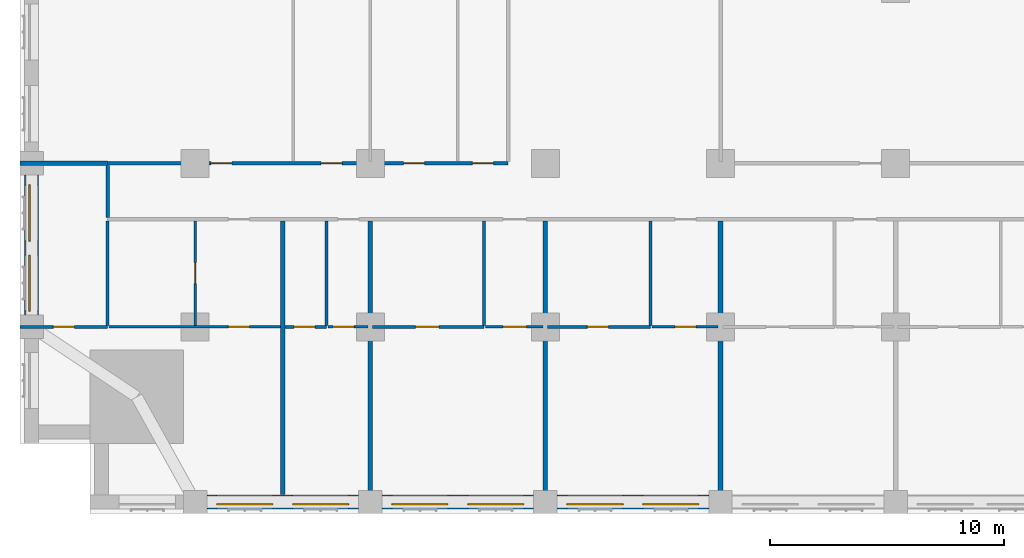
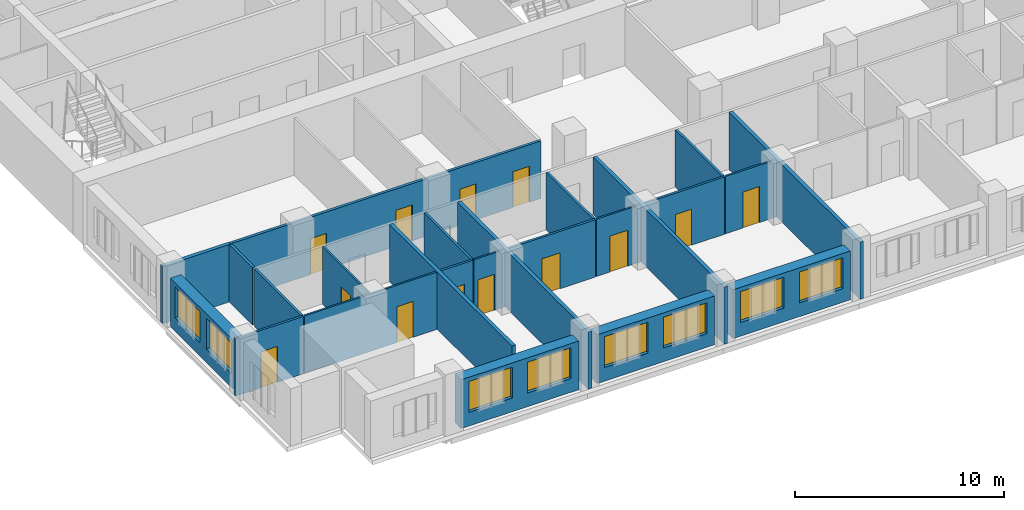
# One storey, part 4 of 14: 24 walls, 13 doors, 8 windows, 21 openings.
"""IFC4 building model written with IfcOpenShell, lengths in metres."""

from ifc_helpers import new_model, si_unit, direction, frame, frame_2d, origin, place, context, subcontext, project, spatial, rectangle, extrude, material, layer, layer_set, type_object, element, fill, save


model = new_model("IFC4")

# Units and contexts
model_context = context("Model", 3, precision=1e-05, world=origin(), true_north=direction((0.0, 1.0)))
body_context = subcontext(model_context, "Body", "Model", "MODEL_VIEW")
ifc_project = project(units=[si_unit("LENGTHUNIT", "METRE"), si_unit("AREAUNIT", "SQUARE_METRE"), si_unit("VOLUMEUNIT", "CUBIC_METRE"), si_unit("PLANEANGLEUNIT", "RADIAN"), si_unit("MASSUNIT", "GRAM", prefix="KILO")], contexts=[model_context])

# Site, building, storey
site_placement = place(None, origin())
site = spatial("IfcSite", under=ifc_project, at=site_placement, CompositionType="ELEMENT")
building_placement = place(site_placement, origin())
building = spatial("IfcBuilding", under=site, at=building_placement, Name="Tamorin Gate", CompositionType="ELEMENT")
storey_placement = place(building_placement, frame((0.0, 0.0, 44.800048828125)))
storey = spatial("IfcBuildingStorey", under=building, at=storey_placement, Name="L09", CompositionType="ELEMENT", Elevation=44.800048828125)

# Wall, openings, windows
ifc_material_1 = material(Name="Precast concrete C40/50", Category="concrete")
ifc_layer_1 = layer(ifc_material_1, 0.60009765625)
ifc_layer_set_1 = layer_set([ifc_layer_1], Name="Precast concrete C40/50")
wall_type_1 = type_object("IfcWallType", Name="Board-marked concrete facade panel 600", PredefinedType="SOLIDWALL", material=ifc_layer_set_1)
wall_1_placement = place(storey_placement, frame((38.0, 38.0, 0.0), z_axis=(0.0, 0.0, 1.0), x_axis=(1.0, 0.0, 0.0)))
wall_1 = element("IfcWall", 1, at=wall_1_placement, inside=storey, type_object=wall_type_1, Name="Facade panel", PredefinedType="SOLIDWALL", context=body_context, shape_type="SweptSolid", body=[
    extrude(rectangle(XDim=6.5, YDim=0.60009765625, at=frame_2d((3.25, 0.0))), origin(), (0.0, 0.0, 1.0), 2.849853515625),
])
opening_1_placement = place(wall_1_placement, frame((0.425048828125, 0.0, 0.800048828125)))
opening_1 = element("IfcOpeningElement", 2, at=opening_1_placement, cuts=wall_1, Name="Opening WN1", PredefinedType="OPENING", context=body_context, shape_type="SweptSolid", body=[
    extrude(rectangle(XDim=2.39990234375, YDim=1.800048828125, at=frame_2d((1.199951171875, 0.89990234375))), frame((0.0, 0.31005859375, 0.0), z_axis=(0.0, -1.0, 0.0), x_axis=(1.0, 0.0, 0.0)), (0.0, 0.0, 1.0), 0.6201171875),
])
opening_2_placement = place(wall_1_placement, frame((3.675048828125, 0.0, 0.800048828125)))
opening_2 = element("IfcOpeningElement", 3, at=opening_2_placement, cuts=wall_1, Name="Opening WN1", PredefinedType="OPENING", context=body_context, shape_type="SweptSolid", body=[
    extrude(rectangle(XDim=2.39990234375, YDim=1.800048828125, at=frame_2d((1.199951171875, 0.89990234375))), frame((0.0, 0.31005859375, 0.0), z_axis=(0.0, -1.0, 0.0), x_axis=(1.0, 0.0, 0.0)), (0.0, 0.0, 1.0), 0.6201171875),
])
ifc_material_2 = material(Name="Clear glass in aluminium frame", Category="aluminium")
window_type = type_object("IfcWindowType", Name="Deep-set window 2400x1800", PartitioningType="SINGLE_PANEL", PredefinedType="WINDOW", material=ifc_material_2)
window_1_placement = place(opening_1_placement, origin())
window_1 = element("IfcWindow", 4, at=window_1_placement, inside=storey, type_object=window_type, Name="Deep-set window", OverallHeight=1.800048828125, OverallWidth=2.39990234375, PartitioningType="SINGLE_PANEL", PredefinedType="WINDOW", context=body_context, shape_type="SweptSolid", body=[
    extrude(rectangle(XDim=2.39990234375, YDim=1.800048828125, at=frame_2d((1.199951171875, 0.89990234375))), frame((0.0, -0.070068359375, 0.0), z_axis=(0.0, -1.0, 0.0), x_axis=(1.0, 0.0, 0.0)), (0.0, 0.0, 1.0), 0.06005859375),
])
fill(opening_1, window_1)
window_2_placement = place(opening_2_placement, origin())
window_2 = element("IfcWindow", 5, at=window_2_placement, inside=storey, type_object=window_type, Name="Deep-set window", OverallHeight=1.800048828125, OverallWidth=2.39990234375, PartitioningType="SINGLE_PANEL", PredefinedType="WINDOW", context=body_context, shape_type="SweptSolid", body=[
    extrude(rectangle(XDim=2.39990234375, YDim=1.800048828125, at=frame_2d((1.199951171875, 0.89990234375))), frame((0.0, -0.070068359375, 0.0), z_axis=(0.0, -1.0, 0.0), x_axis=(1.0, 0.0, 0.0)), (0.0, 0.0, 1.0), 0.06005859375),
])
fill(opening_2, window_2)

wall_2_placement = place(storey_placement, frame((45.5, 38.0, 0.0), z_axis=(0.0, 0.0, 1.0), x_axis=(1.0, 0.0, 0.0)))
wall_2 = element("IfcWall", 6, at=wall_2_placement, inside=storey, type_object=wall_type_1, Name="Facade panel", PredefinedType="SOLIDWALL", context=body_context, shape_type="SweptSolid", body=[
    extrude(rectangle(XDim=6.5, YDim=0.60009765625, at=frame_2d((3.25, 0.0))), origin(), (0.0, 0.0, 1.0), 2.849853515625),
])
opening_3_placement = place(wall_2_placement, frame((0.425048828125, 0.0, 0.800048828125)))
opening_3 = element("IfcOpeningElement", 7, at=opening_3_placement, cuts=wall_2, Name="Opening WN1", PredefinedType="OPENING", context=body_context, shape_type="SweptSolid", body=[
    extrude(rectangle(XDim=2.39990234375, YDim=1.800048828125, at=frame_2d((1.199951171875, 0.89990234375))), frame((0.0, 0.31005859375, 0.0), z_axis=(0.0, -1.0, 0.0), x_axis=(1.0, 0.0, 0.0)), (0.0, 0.0, 1.0), 0.6201171875),
])
opening_4_placement = place(wall_2_placement, frame((3.675048828125, 0.0, 0.800048828125)))
opening_4 = element("IfcOpeningElement", 8, at=opening_4_placement, cuts=wall_2, Name="Opening WN1", PredefinedType="OPENING", context=body_context, shape_type="SweptSolid", body=[
    extrude(rectangle(XDim=2.39990234375, YDim=1.800048828125, at=frame_2d((1.199951171875, 0.89990234375))), frame((0.0, 0.31005859375, 0.0), z_axis=(0.0, -1.0, 0.0), x_axis=(1.0, 0.0, 0.0)), (0.0, 0.0, 1.0), 0.6201171875),
])
window_3_placement = place(opening_3_placement, origin())
window_3 = element("IfcWindow", 9, at=window_3_placement, inside=storey, type_object=window_type, Name="Deep-set window", OverallHeight=1.800048828125, OverallWidth=2.39990234375, PartitioningType="SINGLE_PANEL", PredefinedType="WINDOW", context=body_context, shape_type="SweptSolid", body=[
    extrude(rectangle(XDim=2.39990234375, YDim=1.800048828125, at=frame_2d((1.199951171875, 0.89990234375))), frame((0.0, -0.070068359375, 0.0), z_axis=(0.0, -1.0, 0.0), x_axis=(1.0, 0.0, 0.0)), (0.0, 0.0, 1.0), 0.06005859375),
])
fill(opening_3, window_3)
window_4_placement = place(opening_4_placement, origin())
window_4 = element("IfcWindow", 10, at=window_4_placement, inside=storey, type_object=window_type, Name="Deep-set window", OverallHeight=1.800048828125, OverallWidth=2.39990234375, PartitioningType="SINGLE_PANEL", PredefinedType="WINDOW", context=body_context, shape_type="SweptSolid", body=[
    extrude(rectangle(XDim=2.39990234375, YDim=1.800048828125, at=frame_2d((1.199951171875, 0.89990234375))), frame((0.0, -0.070068359375, 0.0), z_axis=(0.0, -1.0, 0.0), x_axis=(1.0, 0.0, 0.0)), (0.0, 0.0, 1.0), 0.06005859375),
])
fill(opening_4, window_4)

wall_3_placement = place(storey_placement, frame((53.0, 38.0, 0.0), z_axis=(0.0, 0.0, 1.0), x_axis=(1.0, 0.0, 0.0)))
wall_3 = element("IfcWall", 11, at=wall_3_placement, inside=storey, type_object=wall_type_1, Name="Facade panel", PredefinedType="SOLIDWALL", context=body_context, shape_type="SweptSolid", body=[
    extrude(rectangle(XDim=6.5, YDim=0.60009765625, at=frame_2d((3.25, 0.0))), origin(), (0.0, 0.0, 1.0), 2.849853515625),
])
opening_5_placement = place(wall_3_placement, frame((0.425048828125, 0.0, 0.800048828125)))
opening_5 = element("IfcOpeningElement", 12, at=opening_5_placement, cuts=wall_3, Name="Opening WN1", PredefinedType="OPENING", context=body_context, shape_type="SweptSolid", body=[
    extrude(rectangle(XDim=2.39990234375, YDim=1.800048828125, at=frame_2d((1.199951171875, 0.89990234375))), frame((0.0, 0.31005859375, 0.0), z_axis=(0.0, -1.0, 0.0), x_axis=(1.0, 0.0, 0.0)), (0.0, 0.0, 1.0), 0.6201171875),
])
opening_6_placement = place(wall_3_placement, frame((3.675048828125, 0.0, 0.800048828125)))
opening_6 = element("IfcOpeningElement", 13, at=opening_6_placement, cuts=wall_3, Name="Opening WN1", PredefinedType="OPENING", context=body_context, shape_type="SweptSolid", body=[
    extrude(rectangle(XDim=2.39990234375, YDim=1.800048828125, at=frame_2d((1.199951171875, 0.89990234375))), frame((0.0, 0.31005859375, 0.0), z_axis=(0.0, -1.0, 0.0), x_axis=(1.0, 0.0, 0.0)), (0.0, 0.0, 1.0), 0.6201171875),
])
window_5_placement = place(opening_5_placement, origin())
window_5 = element("IfcWindow", 14, at=window_5_placement, inside=storey, type_object=window_type, Name="Deep-set window", OverallHeight=1.800048828125, OverallWidth=2.39990234375, PartitioningType="SINGLE_PANEL", PredefinedType="WINDOW", context=body_context, shape_type="SweptSolid", body=[
    extrude(rectangle(XDim=2.39990234375, YDim=1.800048828125, at=frame_2d((1.199951171875, 0.89990234375))), frame((0.0, -0.070068359375, 0.0), z_axis=(0.0, -1.0, 0.0), x_axis=(1.0, 0.0, 0.0)), (0.0, 0.0, 1.0), 0.06005859375),
])
fill(opening_5, window_5)
window_6_placement = place(opening_6_placement, origin())
window_6 = element("IfcWindow", 15, at=window_6_placement, inside=storey, type_object=window_type, Name="Deep-set window", OverallHeight=1.800048828125, OverallWidth=2.39990234375, PartitioningType="SINGLE_PANEL", PredefinedType="WINDOW", context=body_context, shape_type="SweptSolid", body=[
    extrude(rectangle(XDim=2.39990234375, YDim=1.800048828125, at=frame_2d((1.199951171875, 0.89990234375))), frame((0.0, -0.070068359375, 0.0), z_axis=(0.0, -1.0, 0.0), x_axis=(1.0, 0.0, 0.0)), (0.0, 0.0, 1.0), 0.06005859375),
])
fill(opening_6, window_6)

wall_4_placement = place(storey_placement, frame((30.5, 52.0, 0.0), z_axis=(0.0, 0.0, 1.0), x_axis=(0.0, -1.0, 0.0)))
wall_4 = element("IfcWall", 16, at=wall_4_placement, inside=storey, type_object=wall_type_1, Name="Facade panel", PredefinedType="SOLIDWALL", context=body_context, shape_type="SweptSolid", body=[
    extrude(rectangle(XDim=6.0, YDim=0.60009765625, at=frame_2d((3.0, 0.0))), origin(), (0.0, 0.0, 1.0), 2.849853515625),
])
opening_7_placement = place(wall_4_placement, frame((3.425048828125, 0.0, 0.800048828125)))
opening_7 = element("IfcOpeningElement", 17, at=opening_7_placement, cuts=wall_4, Name="Opening WN1", PredefinedType="OPENING", context=body_context, shape_type="SweptSolid", body=[
    extrude(rectangle(XDim=2.39990234375, YDim=1.800048828125, at=frame_2d((1.199951171875, 0.89990234375))), frame((0.0, 0.31005859375, 0.0), z_axis=(0.0, -1.0, 0.0), x_axis=(1.0, 0.0, 0.0)), (0.0, 0.0, 1.0), 0.6201171875),
])
opening_8_placement = place(wall_4_placement, frame((0.425048828125, 0.0, 0.800048828125)))
opening_8 = element("IfcOpeningElement", 18, at=opening_8_placement, cuts=wall_4, Name="Opening WN1", PredefinedType="OPENING", context=body_context, shape_type="SweptSolid", body=[
    extrude(rectangle(XDim=2.39990234375, YDim=1.800048828125, at=frame_2d((1.199951171875, 0.89990234375))), frame((0.0, 0.31005859375, 0.0), z_axis=(0.0, -1.0, 0.0), x_axis=(1.0, 0.0, 0.0)), (0.0, 0.0, 1.0), 0.6201171875),
])
window_7_placement = place(opening_7_placement, origin())
window_7 = element("IfcWindow", 19, at=window_7_placement, inside=storey, type_object=window_type, Name="Deep-set window", OverallHeight=1.800048828125, OverallWidth=2.39990234375, PartitioningType="SINGLE_PANEL", PredefinedType="WINDOW", context=body_context, shape_type="SweptSolid", body=[
    extrude(rectangle(XDim=2.39990234375, YDim=1.800048828125, at=frame_2d((1.199951171875, 0.89990234375))), frame((0.0, -0.070068359375, 0.0), z_axis=(0.0, -1.0, 0.0), x_axis=(1.0, 0.0, 0.0)), (0.0, 0.0, 1.0), 0.06005859375),
])
fill(opening_7, window_7)
window_8_placement = place(opening_8_placement, origin())
window_8 = element("IfcWindow", 20, at=window_8_placement, inside=storey, type_object=window_type, Name="Deep-set window", OverallHeight=1.800048828125, OverallWidth=2.39990234375, PartitioningType="SINGLE_PANEL", PredefinedType="WINDOW", context=body_context, shape_type="SweptSolid", body=[
    extrude(rectangle(XDim=2.39990234375, YDim=1.800048828125, at=frame_2d((1.199951171875, 0.89990234375))), frame((0.0, -0.070068359375, 0.0), z_axis=(0.0, -1.0, 0.0), x_axis=(1.0, 0.0, 0.0)), (0.0, 0.0, 1.0), 0.06005859375),
])
fill(opening_8, window_8)

# Wall, openings, doors
ifc_material_3 = material(Name="Gypsum board partition")
ifc_layer_2 = layer(ifc_material_3, 0.14990234375)
ifc_layer_set_2 = layer_set([ifc_layer_2], Name="Corridor wall 150")
wall_type_2 = type_object("IfcWallType", Name="Corridor wall 150", PredefinedType="PARTITIONING", material=ifc_layer_set_2)
wall_5_placement = place(storey_placement, frame((33.75, 52.5, 0.0), z_axis=(0.0, 0.0, 1.0), x_axis=(1.0, 0.0, 0.0)))
wall_5 = element("IfcWall", 21, at=wall_5_placement, inside=storey, type_object=wall_type_2, Name="Corridor wall 150", PredefinedType="PARTITIONING", context=body_context, shape_type="SweptSolid", body=[
    extrude(rectangle(XDim=17.14990234375, YDim=0.14990234375, at=frame_2d((8.574951171875, 0.0))), origin(), (0.0, 0.0, 1.0), 3.349853515625),
])
opening_9_placement = place(wall_5_placement, frame((4.425048828125, 0.0, 0.0)))
opening_9 = element("IfcOpeningElement", 22, at=opening_9_placement, cuts=wall_5, Name="Opening DH4072", PredefinedType="OPENING", context=body_context, shape_type="SweptSolid", body=[
    extrude(rectangle(XDim=0.89990234375, YDim=2.10009765625, at=frame_2d((0.449951171875, 1.050048828125))), frame((0.0, 0.0849609375, 0.0), z_axis=(0.0, -1.0, 0.0), x_axis=(1.0, 0.0, 0.0)), (0.0, 0.0, 1.0), 0.169921875),
])
opening_10_placement = place(wall_5_placement, frame((9.14990234375, 0.0, 0.0)))
opening_10 = element("IfcOpeningElement", 23, at=opening_10_placement, cuts=wall_5, Name="Opening DH4073", PredefinedType="OPENING", context=body_context, shape_type="SweptSolid", body=[
    extrude(rectangle(XDim=0.89990234375, YDim=2.10009765625, at=frame_2d((0.449951171875, 1.050048828125))), frame((0.0, 0.0849609375, 0.0), z_axis=(0.0, -1.0, 0.0), x_axis=(1.0, 0.0, 0.0)), (0.0, 0.0, 1.0), 0.169921875),
])
opening_11_placement = place(wall_5_placement, frame((12.675048828125, 0.0, 0.0)))
opening_11 = element("IfcOpeningElement", 24, at=opening_11_placement, cuts=wall_5, Name="Opening DH4074", PredefinedType="OPENING", context=body_context, shape_type="SweptSolid", body=[
    extrude(rectangle(XDim=0.89990234375, YDim=2.10009765625, at=frame_2d((0.449951171875, 1.050048828125))), frame((0.0, 0.0849609375, 0.0), z_axis=(0.0, -1.0, 0.0), x_axis=(1.0, 0.0, 0.0)), (0.0, 0.0, 1.0), 0.169921875),
])
opening_12_placement = place(wall_5_placement, frame((15.625, 0.0, 0.0)))
opening_12 = element("IfcOpeningElement", 25, at=opening_12_placement, cuts=wall_5, Name="Opening DH4075", PredefinedType="OPENING", context=body_context, shape_type="SweptSolid", body=[
    extrude(rectangle(XDim=0.89990234375, YDim=2.10009765625, at=frame_2d((0.449951171875, 1.050048828125))), frame((0.0, 0.0849609375, 0.0), z_axis=(0.0, -1.0, 0.0), x_axis=(1.0, 0.0, 0.0)), (0.0, 0.0, 1.0), 0.169921875),
])
ifc_material_4 = material(Name="Timber door leaf", Category="wood")
door_type_1 = type_object("IfcDoorType", Name="Door 900 x 2100 FD30S", OperationType="NOTDEFINED", PredefinedType="DOOR", material=ifc_material_4)
door_1_placement = place(opening_9_placement, origin())
door_1 = element("IfcDoor", 26, at=door_1_placement, inside=storey, type_object=door_type_1, Name="Door DH4072", OperationType="SINGLE_SWING_RIGHT", OverallHeight=2.10009765625, OverallWidth=0.89990234375, PredefinedType="DOOR", context=body_context, shape_type="SweptSolid", body=[
    extrude(rectangle(XDim=0.89990234375, YDim=2.10009765625, at=frame_2d((0.449951171875, 1.050048828125))), frame((0.0, 0.02490234375, 0.0), z_axis=(0.0, -1.0, 0.0), x_axis=(1.0, 0.0, 0.0)), (0.0, 0.0, 1.0), 0.050048828125),
])
fill(opening_9, door_1)
door_2_placement = place(opening_10_placement, origin())
door_2 = element("IfcDoor", 27, at=door_2_placement, inside=storey, type_object=door_type_1, Name="Door DH4073", OperationType="SINGLE_SWING_LEFT", OverallHeight=2.10009765625, OverallWidth=0.89990234375, PredefinedType="DOOR", context=body_context, shape_type="SweptSolid", body=[
    extrude(rectangle(XDim=0.89990234375, YDim=2.10009765625, at=frame_2d((0.449951171875, 1.050048828125))), frame((0.0, 0.02490234375, 0.0), z_axis=(0.0, -1.0, 0.0), x_axis=(1.0, 0.0, 0.0)), (0.0, 0.0, 1.0), 0.050048828125),
])
fill(opening_10, door_2)
door_3_placement = place(opening_11_placement, origin())
door_3 = element("IfcDoor", 28, at=door_3_placement, inside=storey, type_object=door_type_1, Name="Door DH4074", OperationType="SINGLE_SWING_LEFT", OverallHeight=2.10009765625, OverallWidth=0.89990234375, PredefinedType="DOOR", context=body_context, shape_type="SweptSolid", body=[
    extrude(rectangle(XDim=0.89990234375, YDim=2.10009765625, at=frame_2d((0.449951171875, 1.050048828125))), frame((0.0, 0.02490234375, 0.0), z_axis=(0.0, -1.0, 0.0), x_axis=(1.0, 0.0, 0.0)), (0.0, 0.0, 1.0), 0.050048828125),
])
fill(opening_11, door_3)
door_4_placement = place(opening_12_placement, origin())
door_4 = element("IfcDoor", 29, at=door_4_placement, inside=storey, type_object=door_type_1, Name="Door DH4075", OperationType="SINGLE_SWING_LEFT", OverallHeight=2.10009765625, OverallWidth=0.89990234375, PredefinedType="DOOR", context=body_context, shape_type="SweptSolid", body=[
    extrude(rectangle(XDim=0.89990234375, YDim=2.10009765625, at=frame_2d((0.449951171875, 1.050048828125))), frame((0.0, 0.02490234375, 0.0), z_axis=(0.0, -1.0, 0.0), x_axis=(1.0, 0.0, 0.0)), (0.0, 0.0, 1.0), 0.050048828125),
])
fill(opening_12, door_4)

# Walls
wall_6_placement = place(storey_placement, frame((33.75, 50.175048828125, 0.0), z_axis=(0.0, 0.0, 1.0), x_axis=(0.0, 1.0, 0.0)))
element("IfcWall", 30, at=wall_6_placement, inside=storey, type_object=wall_type_2, Name="Corridor wall 150", PredefinedType="PARTITIONING", context=body_context, shape_type="SweptSolid", body=[
    extrude(rectangle(XDim=2.224853515625, YDim=0.14990234375, at=frame_2d((1.1123046875, 0.0))), origin(), (0.0, 0.0, 1.0), 3.349853515625),
])
ifc_layer_3 = layer(ifc_material_3, 0.199951171875)
ifc_layer_set_3 = layer_set([ifc_layer_3], Name="Demising wall 200")
wall_type_3 = type_object("IfcWallType", Name="Demising wall 200", PredefinedType="PARTITIONING", material=ifc_layer_set_3)
wall_7_placement = place(storey_placement, frame((30.0, 52.5, 0.0), z_axis=(0.0, 0.0, 1.0), x_axis=(1.0, 0.0, 0.0)))
element("IfcWall", 31, at=wall_7_placement, inside=storey, type_object=wall_type_3, Name="Demising wall 200", PredefinedType="PARTITIONING", context=body_context, shape_type="SweptSolid", body=[
    extrude(rectangle(XDim=3.75, YDim=0.199951171875, at=frame_2d((1.875, 0.0))), origin(), (0.0, 0.0, 1.0), 3.349853515625),
])
wall_8_placement = place(storey_placement, frame((41.25, 38.31005859375, 0.0), z_axis=(0.0, 0.0, 1.0), x_axis=(0.0, 1.0, 0.0)))
element("IfcWall", 32, at=wall_8_placement, inside=storey, type_object=wall_type_3, Name="Demising wall 200", PredefinedType="PARTITIONING", context=body_context, shape_type="SweptSolid", body=[
    extrude(rectangle(XDim=11.71484375, YDim=0.199951171875, at=frame_2d((5.857421875, 0.0))), origin(), (0.0, 0.0, 1.0), 3.349853515625),
])
for number, where, z_axis, x_axis, name in (
    (33, (45.0, 37.5, 0.0), (0.0, 0.0, 1.0), (0.0, 1.0, 0.0), "Demising wall 200"),
    (34, (52.5, 37.5, 0.0), (0.0, 0.0, 1.0), (0.0, 1.0, 0.0), "Demising wall 200"),
    (35, (60.0, 37.5, 0.0), (0.0, 0.0, 1.0), (0.0, 1.0, 0.0), "Demising wall 200"),
):
    element("IfcWall", number, at=place(storey_placement, frame(where, z_axis=z_axis, x_axis=x_axis)), inside=storey, type_object=wall_type_3, Name=name, PredefinedType="PARTITIONING", context=body_context, shape_type="SweptSolid", body=[
        extrude(rectangle(XDim=12.52490234375, YDim=0.199951171875, at=frame_2d((6.262451171875, 0.0))), origin(), (0.0, 0.0, 1.0), 3.349853515625),
    ])

# Wall, opening, door
ifc_layer_4 = layer(ifc_material_3, 0.10009765625)
ifc_layer_set_4 = layer_set([ifc_layer_4], Name="Room partition 100")
wall_type_4 = type_object("IfcWallType", Name="Room partition 100", PredefinedType="PARTITIONING", material=ifc_layer_set_4)
wall_9_placement = place(storey_placement, frame((33.8125, 45.5, 0.0), z_axis=(0.0, 0.0, 1.0), x_axis=(1.0, 0.0, 0.0)))
wall_9 = element("IfcWall", 36, at=wall_9_placement, inside=storey, type_object=wall_type_4, Name="Room partition 100", PredefinedType="PARTITIONING", context=body_context, shape_type="SweptSolid", body=[
    extrude(rectangle(XDim=7.33740234375, YDim=0.10009765625, at=frame_2d((3.668701171875, 0.0))), origin(), (0.0, 0.0, 1.0), 3.349853515625),
])
opening_13_placement = place(wall_9_placement, frame((5.112548828125, 0.0, 0.0)))
opening_13 = element("IfcOpeningElement", 37, at=opening_13_placement, cuts=wall_9, Name="Opening DH4004", PredefinedType="OPENING", context=body_context, shape_type="SweptSolid", body=[
    extrude(rectangle(XDim=0.89990234375, YDim=2.10009765625, at=frame_2d((0.449951171875, 1.050048828125))), frame((0.0, 0.06005859375, 0.0), z_axis=(0.0, -1.0, 0.0), x_axis=(1.0, 0.0, 0.0)), (0.0, 0.0, 1.0), 0.1201171875),
])
door_type_2 = type_object("IfcDoorType", Name="Door 900 x 2100", OperationType="NOTDEFINED", PredefinedType="DOOR", material=ifc_material_4)
door_5_placement = place(opening_13_placement, origin())
door_5 = element("IfcDoor", 38, at=door_5_placement, inside=storey, type_object=door_type_2, Name="Door DH4004", OperationType="SINGLE_SWING_LEFT", OverallHeight=2.10009765625, OverallWidth=0.89990234375, PredefinedType="DOOR", context=body_context, shape_type="SweptSolid", body=[
    extrude(rectangle(XDim=0.89990234375, YDim=2.10009765625, at=frame_2d((0.449951171875, 1.050048828125))), frame((0.0, 0.02490234375, 0.0), z_axis=(0.0, -1.0, 0.0), x_axis=(1.0, 0.0, 0.0)), (0.0, 0.0, 1.0), 0.050048828125),
])
fill(opening_13, door_5)

wall_10_placement = place(storey_placement, frame((43.1875, 45.5, 0.0), z_axis=(0.0, 0.0, 1.0), x_axis=(1.0, 0.0, 0.0)))
wall_10 = element("IfcWall", 39, at=wall_10_placement, inside=storey, type_object=wall_type_4, Name="Room partition 100", PredefinedType="PARTITIONING", context=body_context, shape_type="SweptSolid", body=[
    extrude(rectangle(XDim=1.71240234375, YDim=0.10009765625, at=frame_2d((0.856201171875, 0.0))), origin(), (0.0, 0.0, 1.0), 3.349853515625),
])
opening_14_placement = place(wall_10_placement, frame((0.22509765625, 0.0, 0.0)))
opening_14 = element("IfcOpeningElement", 40, at=opening_14_placement, cuts=wall_10, Name="Opening DH4007", PredefinedType="OPENING", context=body_context, shape_type="SweptSolid", body=[
    extrude(rectangle(XDim=0.89990234375, YDim=2.10009765625, at=frame_2d((0.449951171875, 1.050048828125))), frame((0.0, 0.06005859375, 0.0), z_axis=(0.0, -1.0, 0.0), x_axis=(1.0, 0.0, 0.0)), (0.0, 0.0, 1.0), 0.1201171875),
])
door_6_placement = place(opening_14_placement, origin())
door_6 = element("IfcDoor", 41, at=door_6_placement, inside=storey, type_object=door_type_2, Name="Door DH4007", OperationType="SINGLE_SWING_LEFT", OverallHeight=2.10009765625, OverallWidth=0.89990234375, PredefinedType="DOOR", context=body_context, shape_type="SweptSolid", body=[
    extrude(rectangle(XDim=0.89990234375, YDim=2.10009765625, at=frame_2d((0.449951171875, 1.050048828125))), frame((0.0, 0.02490234375, 0.0), z_axis=(0.0, -1.0, 0.0), x_axis=(1.0, 0.0, 0.0)), (0.0, 0.0, 1.0), 0.050048828125),
])
fill(opening_14, door_6)

wall_11_placement = place(storey_placement, frame((49.9375, 45.5, 0.0), z_axis=(0.0, 0.0, 1.0), x_axis=(1.0, 0.0, 0.0)))
wall_11 = element("IfcWall", 42, at=wall_11_placement, inside=storey, type_object=wall_type_4, Name="Room partition 100", PredefinedType="PARTITIONING", context=body_context, shape_type="SweptSolid", body=[
    extrude(rectangle(XDim=2.46240234375, YDim=0.10009765625, at=frame_2d((1.231201171875, 0.0))), origin(), (0.0, 0.0, 1.0), 3.349853515625),
])
opening_15_placement = place(wall_11_placement, frame((0.75, 0.0, 0.0)))
opening_15 = element("IfcOpeningElement", 43, at=opening_15_placement, cuts=wall_11, Name="Opening DH4010", PredefinedType="OPENING", context=body_context, shape_type="SweptSolid", body=[
    extrude(rectangle(XDim=1.0, YDim=2.10009765625, at=frame_2d((0.5, 1.050048828125))), frame((0.0, 0.06005859375, 0.0), z_axis=(0.0, -1.0, 0.0), x_axis=(1.0, 0.0, 0.0)), (0.0, 0.0, 1.0), 0.1201171875),
])
door_type_3 = type_object("IfcDoorType", Name="Door 1000 x 2100", OperationType="NOTDEFINED", PredefinedType="DOOR", material=ifc_material_4)
door_7_placement = place(opening_15_placement, origin())
door_7 = element("IfcDoor", 44, at=door_7_placement, inside=storey, type_object=door_type_3, Name="Door DH4010", OperationType="SINGLE_SWING_LEFT", OverallHeight=2.10009765625, OverallWidth=1.0, PredefinedType="DOOR", context=body_context, shape_type="SweptSolid", body=[
    extrude(rectangle(XDim=1.0, YDim=2.10009765625, at=frame_2d((0.5, 1.050048828125))), frame((0.0, 0.02490234375, 0.0), z_axis=(0.0, -1.0, 0.0), x_axis=(1.0, 0.0, 0.0)), (0.0, 0.0, 1.0), 0.050048828125),
])
fill(opening_15, door_7)

wall_12_placement = place(storey_placement, frame((57.0625, 45.5, 0.0), z_axis=(0.0, 0.0, 1.0), x_axis=(1.0, 0.0, 0.0)))
wall_12 = element("IfcWall", 45, at=wall_12_placement, inside=storey, type_object=wall_type_4, Name="Room partition 100", PredefinedType="PARTITIONING", context=body_context, shape_type="SweptSolid", body=[
    extrude(rectangle(XDim=2.83740234375, YDim=0.10009765625, at=frame_2d((1.418701171875, 0.0))), origin(), (0.0, 0.0, 1.0), 3.349853515625),
])
opening_16_placement = place(wall_12_placement, frame((0.987548828125, 0.0, 0.0)))
opening_16 = element("IfcOpeningElement", 46, at=opening_16_placement, cuts=wall_12, Name="Opening DH4013", PredefinedType="OPENING", context=body_context, shape_type="SweptSolid", body=[
    extrude(rectangle(XDim=0.89990234375, YDim=2.10009765625, at=frame_2d((0.449951171875, 1.050048828125))), frame((0.0, 0.06005859375, 0.0), z_axis=(0.0, -1.0, 0.0), x_axis=(1.0, 0.0, 0.0)), (0.0, 0.0, 1.0), 0.1201171875),
])
door_8_placement = place(opening_16_placement, origin())
door_8 = element("IfcDoor", 47, at=door_8_placement, inside=storey, type_object=door_type_2, Name="Door DH4013", OperationType="SINGLE_SWING_LEFT", OverallHeight=2.10009765625, OverallWidth=0.89990234375, PredefinedType="DOOR", context=body_context, shape_type="SweptSolid", body=[
    extrude(rectangle(XDim=0.89990234375, YDim=2.10009765625, at=frame_2d((0.449951171875, 1.050048828125))), frame((0.0, 0.02490234375, 0.0), z_axis=(0.0, -1.0, 0.0), x_axis=(1.0, 0.0, 0.0)), (0.0, 0.0, 1.0), 0.050048828125),
])
fill(opening_16, door_8)

wall_13_placement = place(storey_placement, frame((37.5, 45.550048828125, 0.0), z_axis=(0.0, 0.0, 1.0), x_axis=(0.0, 1.0, 0.0)))
wall_13 = element("IfcWall", 48, at=wall_13_placement, inside=storey, type_object=wall_type_4, Name="Room partition 100", PredefinedType="PARTITIONING", context=body_context, shape_type="SweptSolid", body=[
    extrude(rectangle(XDim=4.474853515625, YDim=0.10009765625, at=frame_2d((2.2373046875, 0.0))), origin(), (0.0, 0.0, 1.0), 3.349853515625),
])
opening_17_placement = place(wall_13_placement, frame((1.800048828125, 0.0, 0.0)))
opening_17 = element("IfcOpeningElement", 49, at=opening_17_placement, cuts=wall_13, Name="Opening DH4002", PredefinedType="OPENING", context=body_context, shape_type="SweptSolid", body=[
    extrude(rectangle(XDim=0.89990234375, YDim=2.10009765625, at=frame_2d((0.449951171875, 1.050048828125))), frame((0.0, 0.06005859375, 0.0), z_axis=(0.0, -1.0, 0.0), x_axis=(1.0, 0.0, 0.0)), (0.0, 0.0, 1.0), 0.1201171875),
])
door_9_placement = place(opening_17_placement, origin())
door_9 = element("IfcDoor", 50, at=door_9_placement, inside=storey, type_object=door_type_2, Name="Door DH4002", OperationType="SINGLE_SWING_RIGHT", OverallHeight=2.10009765625, OverallWidth=0.89990234375, PredefinedType="DOOR", context=body_context, shape_type="SweptSolid", body=[
    extrude(rectangle(XDim=0.89990234375, YDim=2.10009765625, at=frame_2d((0.449951171875, 1.050048828125))), frame((0.0, 0.02490234375, 0.0), z_axis=(0.0, -1.0, 0.0), x_axis=(1.0, 0.0, 0.0)), (0.0, 0.0, 1.0), 0.050048828125),
])
fill(opening_17, door_9)

ifc_layer_5 = layer(ifc_material_3, 0.125)
ifc_layer_set_5 = layer_set([ifc_layer_5], Name="Wet wall 125")
wall_type_5 = type_object("IfcWallType", Name="Wet wall 125", PredefinedType="PARTITIONING", material=ifc_layer_set_5)
wall_14_placement = place(storey_placement, frame((30.0, 45.5, 0.0), z_axis=(0.0, 0.0, 1.0), x_axis=(1.0, 0.0, 0.0)))
wall_14 = element("IfcWall", 51, at=wall_14_placement, inside=storey, type_object=wall_type_5, Name="Wet wall 125", PredefinedType="PARTITIONING", context=body_context, shape_type="SweptSolid", body=[
    extrude(rectangle(XDim=3.75, YDim=0.125, at=frame_2d((1.875, 0.0))), origin(), (0.0, 0.0, 1.0), 3.349853515625),
])
opening_18_placement = place(wall_14_placement, frame((1.425048828125, 0.0, 0.0)))
opening_18 = element("IfcOpeningElement", 52, at=opening_18_placement, cuts=wall_14, Name="Opening DH4001", PredefinedType="OPENING", context=body_context, shape_type="SweptSolid", body=[
    extrude(rectangle(XDim=0.89990234375, YDim=2.10009765625, at=frame_2d((0.449951171875, 1.050048828125))), frame((0.0, 0.072509765625, 0.0), z_axis=(0.0, -1.0, 0.0), x_axis=(1.0, 0.0, 0.0)), (0.0, 0.0, 1.0), 0.14501953125),
])
door_10_placement = place(opening_18_placement, origin())
door_10 = element("IfcDoor", 53, at=door_10_placement, inside=storey, type_object=door_type_2, Name="Door DH4001", OperationType="SINGLE_SWING_LEFT", OverallHeight=2.10009765625, OverallWidth=0.89990234375, PredefinedType="DOOR", context=body_context, shape_type="SweptSolid", body=[
    extrude(rectangle(XDim=0.89990234375, YDim=2.10009765625, at=frame_2d((0.449951171875, 1.050048828125))), frame((0.0, 0.02490234375, 0.0), z_axis=(0.0, -1.0, 0.0), x_axis=(1.0, 0.0, 0.0)), (0.0, 0.0, 1.0), 0.050048828125),
])
fill(opening_18, door_10)

wall_15_placement = place(storey_placement, frame((41.35009765625, 45.5, 0.0), z_axis=(0.0, 0.0, 1.0), x_axis=(1.0, 0.0, 0.0)))
wall_15 = element("IfcWall", 54, at=wall_15_placement, inside=storey, type_object=wall_type_5, Name="Wet wall 125", PredefinedType="PARTITIONING", context=body_context, shape_type="SweptSolid", body=[
    extrude(rectangle(XDim=1.77490234375, YDim=0.125, at=frame_2d((0.887451171875, 0.0))), origin(), (0.0, 0.0, 1.0), 3.349853515625),
])
opening_19_placement = place(wall_15_placement, frame((0.387451171875, 0.0, 0.0)))
opening_19 = element("IfcOpeningElement", 55, at=opening_19_placement, cuts=wall_15, Name="Opening DH4005", PredefinedType="OPENING", context=body_context, shape_type="SweptSolid", body=[
    extrude(rectangle(XDim=0.89990234375, YDim=2.10009765625, at=frame_2d((0.449951171875, 1.050048828125))), frame((0.0, 0.072509765625, 0.0), z_axis=(0.0, -1.0, 0.0), x_axis=(1.0, 0.0, 0.0)), (0.0, 0.0, 1.0), 0.14501953125),
])
door_11_placement = place(opening_19_placement, origin())
door_11 = element("IfcDoor", 56, at=door_11_placement, inside=storey, type_object=door_type_2, Name="Door DH4005", OperationType="SINGLE_SWING_LEFT", OverallHeight=2.10009765625, OverallWidth=0.89990234375, PredefinedType="DOOR", context=body_context, shape_type="SweptSolid", body=[
    extrude(rectangle(XDim=0.89990234375, YDim=2.10009765625, at=frame_2d((0.449951171875, 1.050048828125))), frame((0.0, 0.02490234375, 0.0), z_axis=(0.0, -1.0, 0.0), x_axis=(1.0, 0.0, 0.0)), (0.0, 0.0, 1.0), 0.050048828125),
])
fill(opening_19, door_11)

wall_16_placement = place(storey_placement, frame((45.10009765625, 45.5, 0.0), z_axis=(0.0, 0.0, 1.0), x_axis=(1.0, 0.0, 0.0)))
wall_16 = element("IfcWall", 57, at=wall_16_placement, inside=storey, type_object=wall_type_5, Name="Wet wall 125", PredefinedType="PARTITIONING", context=body_context, shape_type="SweptSolid", body=[
    extrude(rectangle(XDim=4.77490234375, YDim=0.125, at=frame_2d((2.387451171875, 0.0))), origin(), (0.0, 0.0, 1.0), 3.349853515625),
])
opening_20_placement = place(wall_16_placement, frame((1.83740234375, 0.0, 0.0)))
opening_20 = element("IfcOpeningElement", 58, at=opening_20_placement, cuts=wall_16, Name="Opening DH4008", PredefinedType="OPENING", context=body_context, shape_type="SweptSolid", body=[
    extrude(rectangle(XDim=1.0, YDim=2.10009765625, at=frame_2d((0.5, 1.050048828125))), frame((0.0, 0.072509765625, 0.0), z_axis=(0.0, -1.0, 0.0), x_axis=(1.0, 0.0, 0.0)), (0.0, 0.0, 1.0), 0.14501953125),
])
door_12_placement = place(opening_20_placement, origin())
door_12 = element("IfcDoor", 59, at=door_12_placement, inside=storey, type_object=door_type_3, Name="Door DH4008", OperationType="SINGLE_SWING_LEFT", OverallHeight=2.10009765625, OverallWidth=1.0, PredefinedType="DOOR", context=body_context, shape_type="SweptSolid", body=[
    extrude(rectangle(XDim=1.0, YDim=2.10009765625, at=frame_2d((0.5, 1.050048828125))), frame((0.0, 0.02490234375, 0.0), z_axis=(0.0, -1.0, 0.0), x_axis=(1.0, 0.0, 0.0)), (0.0, 0.0, 1.0), 0.050048828125),
])
fill(opening_20, door_12)

wall_17_placement = place(storey_placement, frame((52.60009765625, 45.5, 0.0), z_axis=(0.0, 0.0, 1.0), x_axis=(1.0, 0.0, 0.0)))
wall_17 = element("IfcWall", 60, at=wall_17_placement, inside=storey, type_object=wall_type_5, Name="Wet wall 125", PredefinedType="PARTITIONING", context=body_context, shape_type="SweptSolid", body=[
    extrude(rectangle(XDim=4.39990234375, YDim=0.125, at=frame_2d((2.199951171875, 0.0))), origin(), (0.0, 0.0, 1.0), 3.349853515625),
])
opening_21_placement = place(wall_17_placement, frame((1.699951171875, 0.0, 0.0)))
opening_21 = element("IfcOpeningElement", 61, at=opening_21_placement, cuts=wall_17, Name="Opening DH4011", PredefinedType="OPENING", context=body_context, shape_type="SweptSolid", body=[
    extrude(rectangle(XDim=0.89990234375, YDim=2.10009765625, at=frame_2d((0.449951171875, 1.050048828125))), frame((0.0, 0.072509765625, 0.0), z_axis=(0.0, -1.0, 0.0), x_axis=(1.0, 0.0, 0.0)), (0.0, 0.0, 1.0), 0.14501953125),
])
door_13_placement = place(opening_21_placement, origin())
door_13 = element("IfcDoor", 62, at=door_13_placement, inside=storey, type_object=door_type_2, Name="Door DH4011", OperationType="SINGLE_SWING_LEFT", OverallHeight=2.10009765625, OverallWidth=0.89990234375, PredefinedType="DOOR", context=body_context, shape_type="SweptSolid", body=[
    extrude(rectangle(XDim=0.89990234375, YDim=2.10009765625, at=frame_2d((0.449951171875, 1.050048828125))), frame((0.0, 0.02490234375, 0.0), z_axis=(0.0, -1.0, 0.0), x_axis=(1.0, 0.0, 0.0)), (0.0, 0.0, 1.0), 0.050048828125),
])
fill(opening_21, door_13)

# Walls
for number, where, z_axis, x_axis, name in (
    (63, (33.75, 45.5625, 0.0), (0.0, 0.0, 1.0), (0.0, 1.0, 0.0), "Wet wall 125"),
    (64, (43.125, 45.5625, 0.0), (0.0, 0.0, 1.0), (0.0, 1.0, 0.0), "Wet wall 125"),
    (65, (49.875, 45.5625, 0.0), (0.0, 0.0, 1.0), (0.0, 1.0, 0.0), "Wet wall 125"),
    (66, (57.0, 45.5625, 0.0), (0.0, 0.0, 1.0), (0.0, 1.0, 0.0), "Wet wall 125"),
):
    element("IfcWall", number, at=place(storey_placement, frame(where, z_axis=z_axis, x_axis=x_axis)), inside=storey, type_object=wall_type_5, Name=name, PredefinedType="PARTITIONING", context=body_context, shape_type="SweptSolid", body=[
        extrude(rectangle(XDim=4.46240234375, YDim=0.125, at=frame_2d((2.231201171875, 0.0))), origin(), (0.0, 0.0, 1.0), 3.349853515625),
    ])

save(model, "model.ifc")
